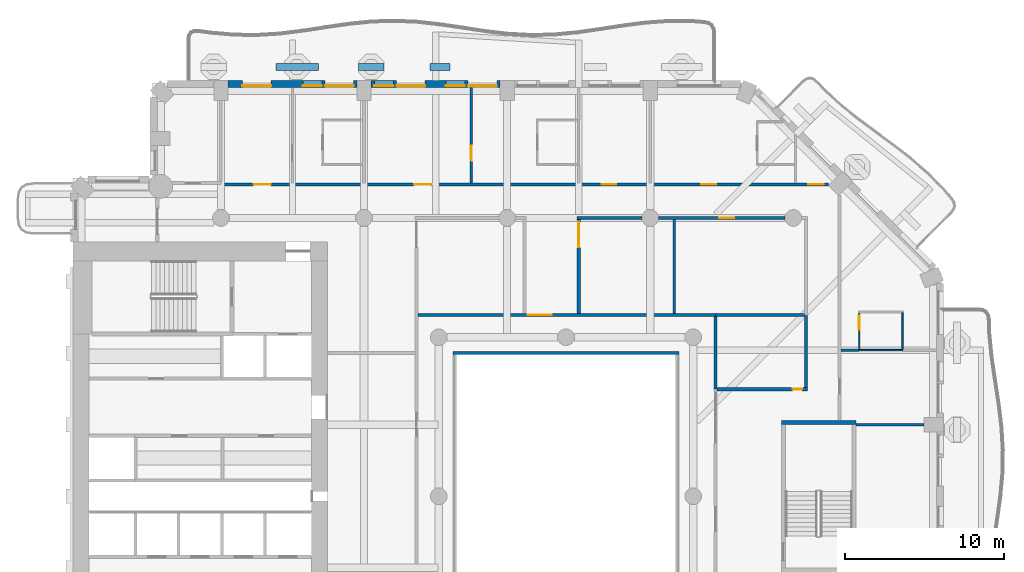
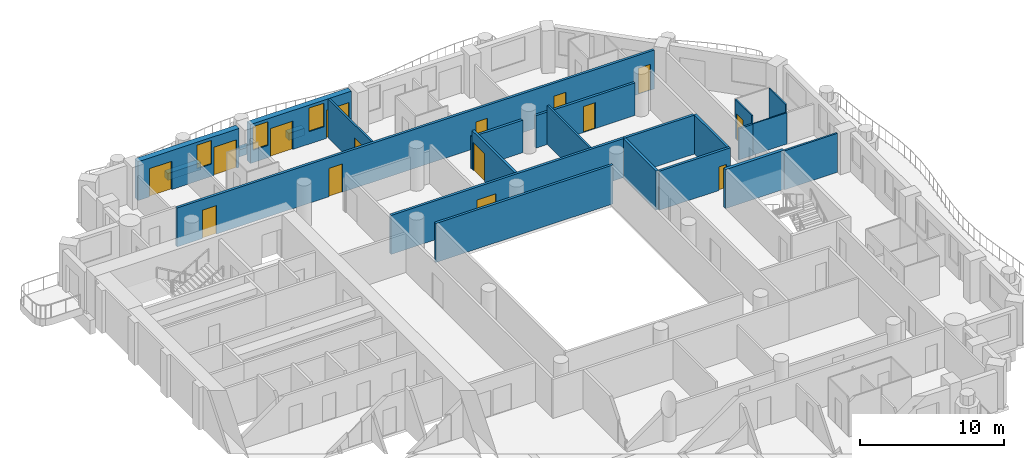
# One storey, part 8 of 19: 23 walls, 15 doors, 3 windows, 18 openings.
"""IFC4 building model written with IfcOpenShell, lengths in metres."""

from ifc_helpers import new_model, si_unit, direction, frame, frame_2d, origin, place, context, subcontext, project, spatial, rectangle, extrude, material, layer, layer_set, type_object, element, fill, save


model = new_model("IFC4")

# Units and contexts
model_context = context("Model", 3, precision=1e-05, world=origin(), true_north=direction((0.0, 1.0)))
body_context = subcontext(model_context, "Body", "Model", "MODEL_VIEW")
ifc_project = project(units=[si_unit("LENGTHUNIT", "METRE"), si_unit("AREAUNIT", "SQUARE_METRE"), si_unit("VOLUMEUNIT", "CUBIC_METRE"), si_unit("PLANEANGLEUNIT", "RADIAN"), si_unit("MASSUNIT", "GRAM", prefix="KILO")], contexts=[model_context])

# Site, building, storey
site_placement = place(None, origin())
site = spatial("IfcSite", under=ifc_project, at=site_placement, CompositionType="ELEMENT")
building_placement = place(site_placement, origin())
building = spatial("IfcBuilding", under=site, at=building_placement, Name="Cypress Arch Tower", CompositionType="ELEMENT")
storey_placement = place(building_placement, frame((0.0, 0.0, 138.300048828125)))
storey = spatial("IfcBuildingStorey", under=building, at=storey_placement, Name="L30", CompositionType="ELEMENT", Elevation=138.300048828125)

# Walls
ifc_material_1 = material(Name="Concrete C40/50, waterproofed", Category="concrete")
ifc_layer_1 = layer(ifc_material_1, 0.449951171875)
ifc_layer_set_1 = layer_set([ifc_layer_1], Name="Balcony planter wall PW450")
wall_type_1 = type_object("IfcWallType", Name="Balcony planter wall PW450", PredefinedType="SOLIDWALL", material=ifc_layer_set_1)
wall_1_placement = place(storey_placement, frame((-6.300048828125, 27.0, 0.0), z_axis=(0.0, 0.0, 1.0), x_axis=(-1.0, 0.0, 0.0)))
element("IfcWall", 1, at=wall_1_placement, inside=storey, type_object=wall_type_1, Name="Balcony planter wall L30-A08.3", PredefinedType="SOLIDWALL", context=body_context, shape_type="SweptSolid", body=[
    extrude(rectangle(XDim=1.25, YDim=0.449951171875, at=frame_2d((0.625, 0.0))), origin(), (0.0, 0.0, 1.0), 0.599853515625),
])
wall_2_placement = place(storey_placement, frame((-10.4375, 27.0, 0.0), z_axis=(0.0, 0.0, 1.0), x_axis=(-1.0, 0.0, 0.0)))
element("IfcWall", 2, at=wall_2_placement, inside=storey, type_object=wall_type_1, Name="Balcony planter wall L30-A08.4", PredefinedType="SOLIDWALL", context=body_context, shape_type="SweptSolid", body=[
    extrude(rectangle(XDim=1.612548828125, YDim=0.449951171875, at=frame_2d((0.80615234375, 0.0))), origin(), (0.0, 0.0, 1.0), 0.599853515625),
])
wall_3_placement = place(storey_placement, frame((-14.574951171875, 27.0, 0.0), z_axis=(0.0, 0.0, 1.0), x_axis=(-1.0, 0.0, 0.0)))
element("IfcWall", 3, at=wall_3_placement, inside=storey, type_object=wall_type_1, Name="Balcony planter wall L30-A08.5", PredefinedType="SOLIDWALL", context=body_context, shape_type="SweptSolid", body=[
    extrude(rectangle(XDim=2.675048828125, YDim=0.449951171875, at=frame_2d((1.33740234375, 0.0))), origin(), (0.0, 0.0, 1.0), 0.599853515625),
])

# Wall, openings, doors, windows
ifc_material_2 = material(Name="Brick (red buff blend)", Category="masonry")
ifc_layer_2 = layer(ifc_material_2, 0.449951171875)
ifc_layer_set_2 = layer_set([ifc_layer_2], Name="Brick pier and spandrel wall BW450")
wall_type_2 = type_object("IfcWallType", Name="Brick pier and spandrel wall BW450", PredefinedType="SOLIDWALL", material=ifc_layer_set_2)
wall_4_placement = place(storey_placement, frame((-3.14990234375, 25.925048828125, 0.0), z_axis=(0.0, 0.0, 1.0), x_axis=(-1.0, 0.0, 0.0)))
wall_4 = element("IfcWall", 4, at=wall_4_placement, inside=storey, type_object=wall_type_2, Name="Brick wall L30 A08.2", PredefinedType="SOLIDWALL", context=body_context, shape_type="SweptSolid", body=[
    extrude(rectangle(XDim=8.10009765625, YDim=0.449951171875, at=frame_2d((4.050048828125, 0.0))), origin(), (0.0, 0.0, 1.0), 3.300048828125),
])
opening_1_placement = place(wall_4_placement, frame((0.199951171875, 0.0, 0.0)))
opening_1 = element("IfcOpeningElement", 5, at=opening_1_placement, cuts=wall_4, Name="Opening D-L30-A08.2.1", PredefinedType="OPENING", context=body_context, shape_type="SweptSolid", body=[
    extrude(rectangle(XDim=1.800048828125, YDim=2.39990234375, at=frame_2d((0.89990234375, 1.199951171875))), frame((0.0, 0.23486328125, 0.0), z_axis=(0.0, -1.0, 0.0), x_axis=(1.0, 0.0, 0.0)), (0.0, 0.0, 1.0), 0.469970703125),
])
opening_2_placement = place(wall_4_placement, frame((2.199951171875, 0.0, 1.050048828125)))
opening_2 = element("IfcOpeningElement", 6, at=opening_2_placement, cuts=wall_4, Name="Opening W120HD", PredefinedType="OPENING", context=body_context, shape_type="SweptSolid", body=[
    extrude(rectangle(XDim=1.199951171875, YDim=2.0, at=frame_2d((0.60009765625, 1.0))), frame((0.0, 0.23486328125, 0.0), z_axis=(0.0, -1.0, 0.0), x_axis=(1.0, 0.0, 0.0)), (0.0, 0.0, 1.0), 0.469970703125),
])
opening_3_placement = place(wall_4_placement, frame((4.699951171875, 0.0, 0.0)))
opening_3 = element("IfcOpeningElement", 7, at=opening_3_placement, cuts=wall_4, Name="Opening D-L30-A08.2.2", PredefinedType="OPENING", context=body_context, shape_type="SweptSolid", body=[
    extrude(rectangle(XDim=1.800048828125, YDim=2.39990234375, at=frame_2d((0.89990234375, 1.199951171875))), frame((0.0, 0.23486328125, 0.0), z_axis=(0.0, -1.0, 0.0), x_axis=(1.0, 0.0, 0.0)), (0.0, 0.0, 1.0), 0.469970703125),
])
opening_4_placement = place(wall_4_placement, frame((6.699951171875, 0.0, 1.050048828125)))
opening_4 = element("IfcOpeningElement", 8, at=opening_4_placement, cuts=wall_4, Name="Opening W120HD", PredefinedType="OPENING", context=body_context, shape_type="SweptSolid", body=[
    extrude(rectangle(XDim=1.199951171875, YDim=2.0, at=frame_2d((0.60009765625, 1.0))), frame((0.0, 0.23486328125, 0.0), z_axis=(0.0, -1.0, 0.0), x_axis=(1.0, 0.0, 0.0)), (0.0, 0.0, 1.0), 0.469970703125),
])
ifc_material_3 = material(Name="Anodised aluminium, bronze finish, laminated low-emissivity double glazing, large-missile impact rated", Category="aluminium")
door_type_1 = type_object("IfcDoorType", Name="Balcony sliding door 1800x2400", OperationType="SLIDING_TO_LEFT", PredefinedType="DOOR", material=ifc_material_3)
door_1_placement = place(opening_1_placement, origin())
door_1 = element("IfcDoor", 9, at=door_1_placement, inside=storey, type_object=door_type_1, Name="Balcony door L30 A08.2.1", OperationType="SLIDING_TO_LEFT", OverallHeight=2.39990234375, OverallWidth=1.800048828125, PredefinedType="DOOR", context=body_context, shape_type="SweptSolid", body=[
    extrude(rectangle(XDim=1.800048828125, YDim=2.39990234375, at=frame_2d((0.89990234375, 1.199951171875))), frame((0.0, 0.1298828125, 0.0), z_axis=(0.0, -1.0, 0.0), x_axis=(1.0, 0.0, 0.0)), (0.0, 0.0, 1.0), 0.050048828125),
])
fill(opening_1, door_1)
door_2_placement = place(opening_3_placement, origin())
door_2 = element("IfcDoor", 10, at=door_2_placement, inside=storey, type_object=door_type_1, Name="Balcony door L30 A08.2.2", OperationType="SLIDING_TO_LEFT", OverallHeight=2.39990234375, OverallWidth=1.800048828125, PredefinedType="DOOR", context=body_context, shape_type="SweptSolid", body=[
    extrude(rectangle(XDim=1.800048828125, YDim=2.39990234375, at=frame_2d((0.89990234375, 1.199951171875))), frame((0.0, 0.1298828125, 0.0), z_axis=(0.0, -1.0, 0.0), x_axis=(1.0, 0.0, 0.0)), (0.0, 0.0, 1.0), 0.050048828125),
])
fill(opening_3, door_2)
ifc_material_4 = material(Name="Anodised aluminium, bronze finish, laminated low-emissivity double glazing, large-missile impact rated", Category="aluminium")
window_type = type_object("IfcWindowType", Name="Window Hotel 1200x2000 debris-rated", PartitioningType="SINGLE_PANEL", PredefinedType="WINDOW", material=ifc_material_4)
window_1_placement = place(opening_2_placement, origin())
window_1 = element("IfcWindow", 11, at=window_1_placement, inside=storey, type_object=window_type, Name="Window L30 A08.2.1", OverallHeight=2.0, OverallWidth=1.199951171875, PartitioningType="SINGLE_PANEL", PredefinedType="WINDOW", context=body_context, shape_type="SweptSolid", body=[
    extrude(rectangle(XDim=1.199951171875, YDim=2.0, at=frame_2d((0.60009765625, 1.0))), frame((0.0, 0.135009765625, 0.0), z_axis=(0.0, -1.0, 0.0), x_axis=(1.0, 0.0, 0.0)), (0.0, 0.0, 1.0), 0.06005859375),
])
fill(opening_2, window_1)
window_2_placement = place(opening_4_placement, origin())
window_2 = element("IfcWindow", 12, at=window_2_placement, inside=storey, type_object=window_type, Name="Window L30 A08.2.2", OverallHeight=2.0, OverallWidth=1.199951171875, PartitioningType="SINGLE_PANEL", PredefinedType="WINDOW", context=body_context, shape_type="SweptSolid", body=[
    extrude(rectangle(XDim=1.199951171875, YDim=2.0, at=frame_2d((0.60009765625, 1.0))), frame((0.0, 0.135009765625, 0.0), z_axis=(0.0, -1.0, 0.0), x_axis=(1.0, 0.0, 0.0)), (0.0, 0.0, 1.0), 0.06005859375),
])
fill(opening_4, window_2)

# Wall, openings, doors, window
wall_5_placement = place(storey_placement, frame((-12.14990234375, 25.925048828125, 0.0), z_axis=(0.0, 0.0, 1.0), x_axis=(-1.0, 0.0, 0.0)))
wall_5 = element("IfcWall", 13, at=wall_5_placement, inside=storey, type_object=wall_type_2, Name="Brick wall L30 A08.3", PredefinedType="SOLIDWALL", context=body_context, shape_type="SweptSolid", body=[
    extrude(rectangle(XDim=8.10009765625, YDim=0.449951171875, at=frame_2d((4.050048828125, 0.0))), origin(), (0.0, 0.0, 1.0), 3.300048828125),
])
opening_5_placement = place(wall_5_placement, frame((0.199951171875, 0.0, 0.0)))
opening_5 = element("IfcOpeningElement", 14, at=opening_5_placement, cuts=wall_5, Name="Opening D-L30-A08.3.1", PredefinedType="OPENING", context=body_context, shape_type="SweptSolid", body=[
    extrude(rectangle(XDim=1.800048828125, YDim=2.39990234375, at=frame_2d((0.89990234375, 1.199951171875))), frame((0.0, 0.23486328125, 0.0), z_axis=(0.0, -1.0, 0.0), x_axis=(1.0, 0.0, 0.0)), (0.0, 0.0, 1.0), 0.469970703125),
])
opening_6_placement = place(wall_5_placement, frame((2.199951171875, 0.0, 1.050048828125)))
opening_6 = element("IfcOpeningElement", 15, at=opening_6_placement, cuts=wall_5, Name="Opening W120HD", PredefinedType="OPENING", context=body_context, shape_type="SweptSolid", body=[
    extrude(rectangle(XDim=1.199951171875, YDim=2.0, at=frame_2d((0.60009765625, 1.0))), frame((0.0, 0.23486328125, 0.0), z_axis=(0.0, -1.0, 0.0), x_axis=(1.0, 0.0, 0.0)), (0.0, 0.0, 1.0), 0.469970703125),
])
opening_7_placement = place(wall_5_placement, frame((5.39990234375, 0.0, 0.0)))
opening_7 = element("IfcOpeningElement", 16, at=opening_7_placement, cuts=wall_5, Name="Opening D-L30-A08.3.2", PredefinedType="OPENING", context=body_context, shape_type="SweptSolid", body=[
    extrude(rectangle(XDim=1.800048828125, YDim=2.39990234375, at=frame_2d((0.89990234375, 1.199951171875))), frame((0.0, 0.23486328125, 0.0), z_axis=(0.0, -1.0, 0.0), x_axis=(1.0, 0.0, 0.0)), (0.0, 0.0, 1.0), 0.469970703125),
])
door_3_placement = place(opening_5_placement, origin())
door_3 = element("IfcDoor", 17, at=door_3_placement, inside=storey, type_object=door_type_1, Name="Balcony door L30 A08.3.1", OperationType="SLIDING_TO_LEFT", OverallHeight=2.39990234375, OverallWidth=1.800048828125, PredefinedType="DOOR", context=body_context, shape_type="SweptSolid", body=[
    extrude(rectangle(XDim=1.800048828125, YDim=2.39990234375, at=frame_2d((0.89990234375, 1.199951171875))), frame((0.0, 0.1298828125, 0.0), z_axis=(0.0, -1.0, 0.0), x_axis=(1.0, 0.0, 0.0)), (0.0, 0.0, 1.0), 0.050048828125),
])
fill(opening_5, door_3)
door_4_placement = place(opening_7_placement, origin())
door_4 = element("IfcDoor", 18, at=door_4_placement, inside=storey, type_object=door_type_1, Name="Balcony door L30 A08.3.2", OperationType="SLIDING_TO_LEFT", OverallHeight=2.39990234375, OverallWidth=1.800048828125, PredefinedType="DOOR", context=body_context, shape_type="SweptSolid", body=[
    extrude(rectangle(XDim=1.800048828125, YDim=2.39990234375, at=frame_2d((0.89990234375, 1.199951171875))), frame((0.0, 0.1298828125, 0.0), z_axis=(0.0, -1.0, 0.0), x_axis=(1.0, 0.0, 0.0)), (0.0, 0.0, 1.0), 0.050048828125),
])
fill(opening_7, door_4)
window_3_placement = place(opening_6_placement, origin())
window_3 = element("IfcWindow", 19, at=window_3_placement, inside=storey, type_object=window_type, Name="Window L30 A08.3.1", OverallHeight=2.0, OverallWidth=1.199951171875, PartitioningType="SINGLE_PANEL", PredefinedType="WINDOW", context=body_context, shape_type="SweptSolid", body=[
    extrude(rectangle(XDim=1.199951171875, YDim=2.0, at=frame_2d((0.60009765625, 1.0))), frame((0.0, 0.135009765625, 0.0), z_axis=(0.0, -1.0, 0.0), x_axis=(1.0, 0.0, 0.0)), (0.0, 0.0, 1.0), 0.06005859375),
])
fill(opening_6, window_3)

# Wall, openings, doors
ifc_material_5 = material(Name="Concrete blockwork, plastered, rated", Category="masonry")
ifc_layer_3 = layer(ifc_material_5, 0.199951171875)
ifc_layer_set_3 = layer_set([ifc_layer_3], Name="Corridor wall FW200")
wall_type_3 = type_object("IfcWallType", Name="Corridor wall FW200", PredefinedType="PARTITIONING", material=ifc_layer_set_3)
wall_6_placement = place(storey_placement, frame((-20.699951171875, 19.60009765625, 0.0), z_axis=(0.0, 0.0, 1.0), x_axis=(1.0, 0.0, 0.0)))
wall_6 = element("IfcWall", 20, at=wall_6_placement, inside=storey, type_object=wall_type_3, Name="Corridor wall", PredefinedType="PARTITIONING", context=body_context, shape_type="SweptSolid", body=[
    extrude(rectangle(XDim=38.213623046875, YDim=0.199951171875, at=frame_2d((19.10693359375, 0.0))), origin(), (0.0, 0.0, 1.0), 3.300048828125),
])
opening_8_placement = place(wall_6_placement, frame((23.949951171875, 0.0, 0.0)))
opening_8 = element("IfcOpeningElement", 21, at=opening_8_placement, cuts=wall_6, Name="Opening D05", PredefinedType="OPENING", context=body_context, shape_type="SweptSolid", body=[
    extrude(rectangle(XDim=0.89990234375, YDim=2.199951171875, at=frame_2d((0.449951171875, 1.10009765625))), frame((0.0, 0.10986328125, 0.0), z_axis=(0.0, -1.0, 0.0), x_axis=(1.0, 0.0, 0.0)), (0.0, 0.0, 1.0), 0.219970703125),
])
opening_9_placement = place(wall_6_placement, frame((2.050048828125, 0.0, 0.0)))
opening_9 = element("IfcOpeningElement", 22, at=opening_9_placement, cuts=wall_6, Name="Opening D01", PredefinedType="OPENING", context=body_context, shape_type="SweptSolid", body=[
    extrude(rectangle(XDim=1.10009765625, YDim=2.39990234375, at=frame_2d((0.550048828125, 1.199951171875))), frame((0.0, 0.10986328125, 0.0), z_axis=(0.0, -1.0, 0.0), x_axis=(1.0, 0.0, 0.0)), (0.0, 0.0, 1.0), 0.219970703125),
])
opening_10_placement = place(wall_6_placement, frame((12.14990234375, 0.0, 0.0)))
opening_10 = element("IfcOpeningElement", 23, at=opening_10_placement, cuts=wall_6, Name="Opening D01", PredefinedType="OPENING", context=body_context, shape_type="SweptSolid", body=[
    extrude(rectangle(XDim=1.10009765625, YDim=2.39990234375, at=frame_2d((0.550048828125, 1.199951171875))), frame((0.0, 0.10986328125, 0.0), z_axis=(0.0, -1.0, 0.0), x_axis=(1.0, 0.0, 0.0)), (0.0, 0.0, 1.0), 0.219970703125),
])
opening_11_placement = place(wall_6_placement, frame((30.199951171875, 0.0, 0.0)))
opening_11 = element("IfcOpeningElement", 24, at=opening_11_placement, cuts=wall_6, Name="Opening D02", PredefinedType="OPENING", context=body_context, shape_type="SweptSolid", body=[
    extrude(rectangle(XDim=0.949951171875, YDim=2.199951171875, at=frame_2d((0.47509765625, 1.10009765625))), frame((0.0, 0.10986328125, 0.0), z_axis=(0.0, -1.0, 0.0), x_axis=(1.0, 0.0, 0.0)), (0.0, 0.0, 1.0), 0.219970703125),
])
opening_12_placement = place(wall_6_placement, frame((36.949951171875, 0.0, 0.0)))
opening_12 = element("IfcOpeningElement", 25, at=opening_12_placement, cuts=wall_6, Name="Opening D02", PredefinedType="OPENING", context=body_context, shape_type="SweptSolid", body=[
    extrude(rectangle(XDim=0.949951171875, YDim=2.199951171875, at=frame_2d((0.47509765625, 1.10009765625))), frame((0.0, 0.10986328125, 0.0), z_axis=(0.0, -1.0, 0.0), x_axis=(1.0, 0.0, 0.0)), (0.0, 0.0, 1.0), 0.219970703125),
])
ifc_material_6 = material(Name="Timber flush door, fire resisting", Category="wood")
door_type_2 = type_object("IfcDoorType", Name="Room door D02 950x2200", OperationType="SINGLE_SWING_LEFT", PredefinedType="DOOR", material=ifc_material_6)
door_5_placement = place(opening_11_placement, origin())
door_5 = element("IfcDoor", 26, at=door_5_placement, inside=storey, type_object=door_type_2, Name="Room door", OperationType="SINGLE_SWING_RIGHT", OverallHeight=2.199951171875, OverallWidth=0.949951171875, PredefinedType="DOOR", context=body_context, shape_type="SweptSolid", body=[
    extrude(rectangle(XDim=0.949951171875, YDim=2.199951171875, at=frame_2d((0.47509765625, 1.10009765625))), frame((0.0, 0.02490234375, 0.0), z_axis=(0.0, -1.0, 0.0), x_axis=(1.0, 0.0, 0.0)), (0.0, 0.0, 1.0), 0.050048828125),
])
fill(opening_11, door_5)
door_6_placement = place(opening_12_placement, origin())
door_6 = element("IfcDoor", 27, at=door_6_placement, inside=storey, type_object=door_type_2, Name="Room door", OperationType="SINGLE_SWING_RIGHT", OverallHeight=2.199951171875, OverallWidth=0.949951171875, PredefinedType="DOOR", context=body_context, shape_type="SweptSolid", body=[
    extrude(rectangle(XDim=0.949951171875, YDim=2.199951171875, at=frame_2d((0.47509765625, 1.10009765625))), frame((0.0, 0.02490234375, 0.0), z_axis=(0.0, -1.0, 0.0), x_axis=(1.0, 0.0, 0.0)), (0.0, 0.0, 1.0), 0.050048828125),
])
fill(opening_12, door_6)
ifc_material_7 = material(Name="Timber flush door", Category="wood")
door_type_3 = type_object("IfcDoorType", Name="Service door D05 900x2200", OperationType="SINGLE_SWING_LEFT", PredefinedType="DOOR", material=ifc_material_7)
door_7_placement = place(opening_8_placement, origin())
door_7 = element("IfcDoor", 28, at=door_7_placement, inside=storey, type_object=door_type_3, Name="Service door", OperationType="SINGLE_SWING_LEFT", OverallHeight=2.199951171875, OverallWidth=0.89990234375, PredefinedType="DOOR", context=body_context, shape_type="SweptSolid", body=[
    extrude(rectangle(XDim=0.89990234375, YDim=2.199951171875, at=frame_2d((0.449951171875, 1.10009765625))), frame((0.0, 0.02490234375, 0.0), z_axis=(0.0, -1.0, 0.0), x_axis=(1.0, 0.0, 0.0)), (0.0, 0.0, 1.0), 0.050048828125),
])
fill(opening_8, door_7)
ifc_material_8 = material(Name="Timber flush door, fire resisting, self-closing", Category="wood")
door_type_4 = type_object("IfcDoorType", Name="Unit entrance door D01 1100x2400", OperationType="SINGLE_SWING_LEFT", PredefinedType="DOOR", material=ifc_material_8)
door_8_placement = place(opening_9_placement, origin())
door_8 = element("IfcDoor", 29, at=door_8_placement, inside=storey, type_object=door_type_4, Name="Unit entrance door", OperationType="SINGLE_SWING_RIGHT", OverallHeight=2.39990234375, OverallWidth=1.10009765625, PredefinedType="DOOR", context=body_context, shape_type="SweptSolid", body=[
    extrude(rectangle(XDim=1.10009765625, YDim=2.39990234375, at=frame_2d((0.550048828125, 1.199951171875))), frame((0.0, 0.02490234375, 0.0), z_axis=(0.0, -1.0, 0.0), x_axis=(1.0, 0.0, 0.0)), (0.0, 0.0, 1.0), 0.050048828125),
])
fill(opening_9, door_8)
door_9_placement = place(opening_10_placement, origin())
door_9 = element("IfcDoor", 30, at=door_9_placement, inside=storey, type_object=door_type_4, Name="Unit entrance door", OperationType="SINGLE_SWING_RIGHT", OverallHeight=2.39990234375, OverallWidth=1.10009765625, PredefinedType="DOOR", context=body_context, shape_type="SweptSolid", body=[
    extrude(rectangle(XDim=1.10009765625, YDim=2.39990234375, at=frame_2d((0.550048828125, 1.199951171875))), frame((0.0, 0.02490234375, 0.0), z_axis=(0.0, -1.0, 0.0), x_axis=(1.0, 0.0, 0.0)), (0.0, 0.0, 1.0), 0.050048828125),
])
fill(opening_10, door_9)

# Wall, opening, door
wall_7_placement = place(storey_placement, frame((-8.300048828125, 11.39990234375, 0.0), z_axis=(0.0, 0.0, 1.0), x_axis=(1.0, 0.0, 0.0)))
wall_7 = element("IfcWall", 31, at=wall_7_placement, inside=storey, type_object=wall_type_3, Name="Corridor wall", PredefinedType="PARTITIONING", context=body_context, shape_type="SweptSolid", body=[
    extrude(rectangle(XDim=18.699951171875, YDim=0.199951171875, at=frame_2d((9.35009765625, 0.0))), origin(), (0.0, 0.0, 1.0), 3.300048828125),
])
opening_13_placement = place(wall_7_placement, frame((6.89990234375, 0.0, 0.0)))
opening_13 = element("IfcOpeningElement", 32, at=opening_13_placement, cuts=wall_7, Name="Opening D04", PredefinedType="OPENING", context=body_context, shape_type="SweptSolid", body=[
    extrude(rectangle(XDim=1.5, YDim=2.199951171875, at=frame_2d((0.75, 1.10009765625))), frame((0.0, 0.10986328125, 0.0), z_axis=(0.0, -1.0, 0.0), x_axis=(1.0, 0.0, 0.0)), (0.0, 0.0, 1.0), 0.219970703125),
])
ifc_material_9 = material(Name="Timber double door", Category="wood")
door_type_5 = type_object("IfcDoorType", Name="Double door D04 1500x2200", OperationType="DOUBLE_DOOR_SINGLE_SWING", PredefinedType="DOOR", material=ifc_material_9)
door_10_placement = place(opening_13_placement, origin())
door_10 = element("IfcDoor", 33, at=door_10_placement, inside=storey, type_object=door_type_5, Name="Double door", OperationType="DOUBLE_DOOR_SINGLE_SWING", OverallHeight=2.199951171875, OverallWidth=1.5, PredefinedType="DOOR", context=body_context, shape_type="SweptSolid", body=[
    extrude(rectangle(XDim=1.5, YDim=2.199951171875, at=frame_2d((0.75, 1.10009765625))), frame((0.0, 0.02490234375, 0.0), z_axis=(0.0, -1.0, 0.0), x_axis=(1.0, 0.0, 0.0)), (0.0, 0.0, 1.0), 0.050048828125),
])
fill(opening_13, door_10)

# Wall
wall_8_placement = place(storey_placement, frame((-6.10009765625, 9.0, 0.0), z_axis=(0.0, 0.0, 1.0), x_axis=(1.0, 0.0, 0.0)))
element("IfcWall", 34, at=wall_8_placement, inside=storey, type_object=wall_type_3, Name="Corridor wall", PredefinedType="PARTITIONING", context=body_context, shape_type="SweptSolid", body=[
    extrude(rectangle(XDim=14.2001953125, YDim=0.199951171875, at=frame_2d((7.10009765625, 0.0))), origin(), (0.0, 0.0, 1.0), 3.300048828125),
])

# Wall, opening, door
wall_9_placement = place(storey_placement, frame((1.800048828125, 11.5, 0.0), z_axis=(0.0, 0.0, 1.0), x_axis=(0.0, 1.0, 0.0)))
wall_9 = element("IfcWall", 35, at=wall_9_placement, inside=storey, type_object=wall_type_3, Name="Corridor wall", PredefinedType="PARTITIONING", context=body_context, shape_type="SweptSolid", body=[
    extrude(rectangle(XDim=5.89990234375, YDim=0.199951171875, at=frame_2d((2.949951171875, 0.0))), origin(), (0.0, 0.0, 1.0), 3.300048828125),
])
opening_14_placement = place(wall_9_placement, frame((4.14990234375, 0.0, 0.0)))
opening_14 = element("IfcOpeningElement", 36, at=opening_14_placement, cuts=wall_9, Name="Opening D10", PredefinedType="OPENING", context=body_context, shape_type="SweptSolid", body=[
    extrude(rectangle(XDim=1.60009765625, YDim=2.39990234375, at=frame_2d((0.800048828125, 1.199951171875))), frame((0.0, 0.10986328125, 0.0), z_axis=(0.0, -1.0, 0.0), x_axis=(1.0, 0.0, 0.0)), (0.0, 0.0, 1.0), 0.219970703125),
])
ifc_material_10 = material(Name="Black aluminium glazed door", Category="aluminium")
door_type_6 = type_object("IfcDoorType", Name="Amenity door D10 1600x2400", OperationType="DOUBLE_DOOR_SINGLE_SWING", PredefinedType="DOOR", material=ifc_material_10)
door_11_placement = place(opening_14_placement, origin())
door_11 = element("IfcDoor", 37, at=door_11_placement, inside=storey, type_object=door_type_6, Name="Amenity door", OperationType="DOUBLE_DOOR_SINGLE_SWING", OverallHeight=2.39990234375, OverallWidth=1.60009765625, PredefinedType="DOOR", context=body_context, shape_type="SweptSolid", body=[
    extrude(rectangle(XDim=1.60009765625, YDim=2.39990234375, at=frame_2d((0.800048828125, 1.199951171875))), frame((0.0, 0.02490234375, 0.0), z_axis=(0.0, -1.0, 0.0), x_axis=(1.0, 0.0, 0.0)), (0.0, 0.0, 1.0), 0.050048828125),
])
fill(opening_14, door_11)

# Wall
wall_10_placement = place(storey_placement, frame((1.699951171875, 17.5, 0.0), z_axis=(0.0, 0.0, 1.0), x_axis=(1.0, 0.0, 0.0)))
element("IfcWall", 38, at=wall_10_placement, inside=storey, type_object=wall_type_3, Name="Corridor wall", PredefinedType="PARTITIONING", context=body_context, shape_type="SweptSolid", body=[
    extrude(rectangle(XDim=4.074951171875, YDim=0.199951171875, at=frame_2d((2.03759765625, 0.0))), origin(), (0.0, 0.0, 1.0), 2.75),
])

# Wall, opening, door
wall_11_placement = place(storey_placement, frame((6.824951171875, 17.5, 0.0), z_axis=(0.0, 0.0, 1.0), x_axis=(1.0, 0.0, 0.0)))
wall_11 = element("IfcWall", 39, at=wall_11_placement, inside=storey, type_object=wall_type_3, Name="Corridor wall", PredefinedType="PARTITIONING", context=body_context, shape_type="SweptSolid", body=[
    extrude(rectangle(XDim=7.949951171875, YDim=0.199951171875, at=frame_2d((3.97509765625, 0.0))), origin(), (0.0, 0.0, 1.0), 2.75),
])
opening_15_placement = place(wall_11_placement, frame((3.800048828125, 0.0, 0.0)))
opening_15 = element("IfcOpeningElement", 40, at=opening_15_placement, cuts=wall_11, Name="Opening D02", PredefinedType="OPENING", context=body_context, shape_type="SweptSolid", body=[
    extrude(rectangle(XDim=0.949951171875, YDim=2.199951171875, at=frame_2d((0.47509765625, 1.10009765625))), frame((0.0, 0.10986328125, 0.0), z_axis=(0.0, -1.0, 0.0), x_axis=(1.0, 0.0, 0.0)), (0.0, 0.0, 1.0), 0.219970703125),
])
door_12_placement = place(opening_15_placement, origin())
door_12 = element("IfcDoor", 41, at=door_12_placement, inside=storey, type_object=door_type_2, Name="Room door", OperationType="SINGLE_SWING_RIGHT", OverallHeight=2.199951171875, OverallWidth=0.949951171875, PredefinedType="DOOR", context=body_context, shape_type="SweptSolid", body=[
    extrude(rectangle(XDim=0.949951171875, YDim=2.199951171875, at=frame_2d((0.47509765625, 1.10009765625))), frame((0.0, 0.02490234375, 0.0), z_axis=(0.0, -1.0, 0.0), x_axis=(1.0, 0.0, 0.0)), (0.0, 0.0, 1.0), 0.050048828125),
])
fill(opening_15, door_12)

ifc_material_11 = material(Name="Blockwork, plastered both sides", Category="masonry")
ifc_layer_4 = layer(ifc_material_11, 0.14990234375)
ifc_layer_set_4 = layer_set([ifc_layer_4], Name="Partition PW150")
wall_type_4 = type_object("IfcWallType", Name="Partition PW150", PredefinedType="PARTITIONING", material=ifc_layer_set_4)
wall_12_placement = place(storey_placement, frame((-4.949951171875, 19.699951171875, 0.0), z_axis=(0.0, 0.0, 1.0), x_axis=(0.0, 1.0, 0.0)))
wall_12 = element("IfcWall", 42, at=wall_12_placement, inside=storey, type_object=wall_type_4, Name="Partition", PredefinedType="PARTITIONING", context=body_context, shape_type="SweptSolid", body=[
    extrude(rectangle(XDim=6.0, YDim=0.14990234375, at=frame_2d((3.0, 0.0))), origin(), (0.0, 0.0, 1.0), 3.300048828125),
])
opening_16_placement = place(wall_12_placement, frame((1.39990234375, 0.0, 0.0)))
opening_16 = element("IfcOpeningElement", 43, at=opening_16_placement, cuts=wall_12, Name="Opening D12", PredefinedType="OPENING", context=body_context, shape_type="SweptSolid", body=[
    extrude(rectangle(XDim=0.949951171875, YDim=2.199951171875, at=frame_2d((0.47509765625, 1.10009765625))), frame((0.0, 0.0849609375, 0.0), z_axis=(0.0, -1.0, 0.0), x_axis=(1.0, 0.0, 0.0)), (0.0, 0.0, 1.0), 0.169921875),
])
ifc_material_12 = material(Name="Timber flush door", Category="wood")
door_type_7 = type_object("IfcDoorType", Name="Room door D12 950x2200", OperationType="SINGLE_SWING_LEFT", PredefinedType="DOOR", material=ifc_material_12)
door_13_placement = place(opening_16_placement, origin())
door_13 = element("IfcDoor", 44, at=door_13_placement, inside=storey, type_object=door_type_7, Name="Room door", OperationType="SINGLE_SWING_LEFT", OverallHeight=2.199951171875, OverallWidth=0.949951171875, PredefinedType="DOOR", context=body_context, shape_type="SweptSolid", body=[
    extrude(rectangle(XDim=0.949951171875, YDim=2.199951171875, at=frame_2d((0.47509765625, 1.10009765625))), frame((0.0, 0.02490234375, 0.0), z_axis=(0.0, -1.0, 0.0), x_axis=(1.0, 0.0, 0.0)), (0.0, 0.0, 1.0), 0.050048828125),
])
fill(opening_16, door_13)

# Walls
wall_13_placement = place(storey_placement, frame((7.800048828125, 11.5, 0.0), z_axis=(0.0, 0.0, 1.0), x_axis=(0.0, 1.0, 0.0)))
element("IfcWall", 45, at=wall_13_placement, inside=storey, type_object=wall_type_4, Name="Partition", PredefinedType="PARTITIONING", context=body_context, shape_type="SweptSolid", body=[
    extrude(rectangle(XDim=5.89990234375, YDim=0.14990234375, at=frame_2d((2.949951171875, 0.0))), origin(), (0.0, 0.0, 1.0), 3.300048828125),
])
wall_14_placement = place(storey_placement, frame((18.300048828125, 9.18994140625, 0.0), z_axis=(0.0, 0.0, 1.0), x_axis=(1.0, 0.0, 0.0)))
element("IfcWall", 46, at=wall_14_placement, inside=storey, type_object=wall_type_4, Name="Partition", PredefinedType="PARTITIONING", context=body_context, shape_type="SweptSolid", body=[
    extrude(rectangle(XDim=1.1298828125, YDim=0.14990234375, at=frame_2d((0.56494140625, 0.0))), origin(), (0.0, 0.0, 1.0), 2.64990234375),
])
wall_15_placement = place(storey_placement, frame((19.25, 4.5, 0.0), z_axis=(0.0, 0.0, 1.0), x_axis=(1.0, 0.0, 0.0)))
element("IfcWall", 47, at=wall_15_placement, inside=storey, type_object=wall_type_4, Name="Partition", PredefinedType="PARTITIONING", context=body_context, shape_type="SweptSolid", body=[
    extrude(rectangle(XDim=4.25, YDim=0.14990234375, at=frame_2d((2.125, 0.0))), origin(), (0.0, 0.0, 1.0), 3.300048828125),
])
ifc_material_13 = material(Name="Reinforced blockwork, plastered, rated", Category="masonry")
ifc_layer_5 = layer(ifc_material_13, 0.199951171875)
ifc_layer_set_5 = layer_set([ifc_layer_5], Name="Plant and riser wall PL200")
wall_type_5 = type_object("IfcWallType", Name="Plant and riser wall PL200", PredefinedType="PARTITIONING", material=ifc_layer_set_5)
wall_16_placement = place(storey_placement, frame((10.39990234375, 11.39990234375, 0.0), z_axis=(0.0, 0.0, 1.0), x_axis=(1.0, 0.0, 0.0)))
element("IfcWall", 48, at=wall_16_placement, inside=storey, type_object=wall_type_5, Name="Plant and riser wall", PredefinedType="PARTITIONING", context=body_context, shape_type="SweptSolid", body=[
    extrude(rectangle(XDim=5.60009765625, YDim=0.199951171875, at=frame_2d((2.800048828125, 0.0))), origin(), (0.0, 0.0, 1.0), 3.300048828125),
])
wall_17_placement = place(storey_placement, frame((10.39990234375, 6.7451171875, 0.0), z_axis=(0.0, 0.0, 1.0), x_axis=(0.0, 1.0, 0.0)))
element("IfcWall", 49, at=wall_17_placement, inside=storey, type_object=wall_type_5, Name="Plant and riser wall", PredefinedType="PARTITIONING", context=body_context, shape_type="SweptSolid", body=[
    extrude(rectangle(XDim=4.554931640625, YDim=0.199951171875, at=frame_2d((2.27734375, 0.0))), origin(), (0.0, 0.0, 1.0), 3.300048828125),
])

# Wall, opening, door
wall_18_placement = place(storey_placement, frame((10.5, 6.72509765625, 0.0), z_axis=(0.0, 0.0, 1.0), x_axis=(1.0, 0.0, 0.0)))
wall_18 = element("IfcWall", 50, at=wall_18_placement, inside=storey, type_object=wall_type_5, Name="Plant and riser wall", PredefinedType="PARTITIONING", context=body_context, shape_type="SweptSolid", body=[
    extrude(rectangle(XDim=5.699951171875, YDim=0.199951171875, at=frame_2d((2.85009765625, 0.0))), origin(), (0.0, 0.0, 1.0), 3.300048828125),
])
opening_17_placement = place(wall_18_placement, frame((4.75, 0.0, 0.0)))
opening_17 = element("IfcOpeningElement", 51, at=opening_17_placement, cuts=wall_18, Name="Opening D08", PredefinedType="OPENING", context=body_context, shape_type="SweptSolid", body=[
    extrude(rectangle(XDim=0.60009765625, YDim=2.0, at=frame_2d((0.300048828125, 1.0))), frame((0.0, 0.10986328125, 0.0), z_axis=(0.0, -1.0, 0.0), x_axis=(1.0, 0.0, 0.0)), (0.0, 0.0, 1.0), 0.219970703125),
])
ifc_material_14 = material(Name="Steel access door, fire resisting", Category="steel")
door_type_8 = type_object("IfcDoorType", Name="Riser access door D08 600x2000", OperationType="SINGLE_SWING_LEFT", PredefinedType="DOOR", material=ifc_material_14)
door_14_placement = place(opening_17_placement, origin())
door_14 = element("IfcDoor", 52, at=door_14_placement, inside=storey, type_object=door_type_8, Name="Riser access door", OperationType="SINGLE_SWING_RIGHT", OverallHeight=2.0, OverallWidth=0.60009765625, PredefinedType="DOOR", context=body_context, shape_type="SweptSolid", body=[
    extrude(rectangle(XDim=0.60009765625, YDim=2.0, at=frame_2d((0.300048828125, 1.0))), frame((0.0, 0.02490234375, 0.0), z_axis=(0.0, -1.0, 0.0), x_axis=(1.0, 0.0, 0.0)), (0.0, 0.0, 1.0), 0.050048828125),
])
fill(opening_17, door_14)

# Walls
wall_19_placement = place(storey_placement, frame((16.10009765625, 6.824951171875, 0.0), z_axis=(0.0, 0.0, 1.0), x_axis=(0.0, 1.0, 0.0)))
element("IfcWall", 53, at=wall_19_placement, inside=storey, type_object=wall_type_5, Name="Plant and riser wall", PredefinedType="PARTITIONING", context=body_context, shape_type="SweptSolid", body=[
    extrude(rectangle(XDim=4.554931640625, YDim=0.199951171875, at=frame_2d((2.27734375, 0.0))), origin(), (0.0, 0.0, 1.0), 3.300048828125),
])
ifc_material_15 = material(Name="Concrete C50/60", Category="concrete")
ifc_layer_6 = layer(ifc_material_15, 0.25)
ifc_layer_set_6 = layer_set([ifc_layer_6], Name="Stair enclosure wall SW250")
wall_type_6 = type_object("IfcWallType", Name="Stair enclosure wall SW250", PredefinedType="SHEAR", material=ifc_layer_set_6)
wall_20_placement = place(storey_placement, frame((14.550048828125, 4.625, 0.0), z_axis=(0.0, 0.0, 1.0), x_axis=(1.0, 0.0, 0.0)))
element("IfcWall", 54, at=wall_20_placement, inside=storey, type_object=wall_type_6, Name="Stair enclosure wall", PredefinedType="SHEAR", context=body_context, shape_type="SweptSolid", body=[
    extrude(rectangle(XDim=4.699951171875, YDim=0.25, at=frame_2d((2.35009765625, 0.0))), origin(), (0.0, 0.0, 1.0), 3.300048828125),
])
ifc_material_16 = material(Name="Moisture resistant board on steel studs, tiled", Category="steel")
ifc_layer_7 = layer(ifc_material_16, 0.10009765625)
ifc_layer_set_7 = layer_set([ifc_layer_7], Name="Wet wall PW100")
wall_type_7 = type_object("IfcWallType", Name="Wet wall PW100", PredefinedType="PARTITIONING", material=ifc_layer_set_7)
wall_21_placement = place(storey_placement, frame((19.429931640625, 9.18994140625, 0.0), z_axis=(0.0, 0.0, 1.0), x_axis=(1.0, 0.0, 0.0)))
element("IfcWall", 55, at=wall_21_placement, inside=storey, type_object=wall_type_7, Name="Wet wall", PredefinedType="PARTITIONING", context=body_context, shape_type="SweptSolid", body=[
    extrude(rectangle(XDim=2.739990234375, YDim=0.10009765625, at=frame_2d((1.3701171875, 0.0))), origin(), (0.0, 0.0, 1.0), 2.64990234375),
])

# Wall, opening, door
wall_22_placement = place(storey_placement, frame((19.449951171875, 9.264892578125, 0.0), z_axis=(0.0, 0.0, 1.0), x_axis=(0.0, 1.0, 0.0)))
wall_22 = element("IfcWall", 56, at=wall_22_placement, inside=storey, type_object=wall_type_7, Name="Wet wall", PredefinedType="PARTITIONING", context=body_context, shape_type="SweptSolid", body=[
    extrude(rectangle(XDim=2.27099609375, YDim=0.10009765625, at=frame_2d((1.135498046875, 0.0))), origin(), (0.0, 0.0, 1.0), 3.300048828125),
])
opening_18_placement = place(wall_22_placement, frame((1.199951171875, 0.0, 0.0)))
opening_18 = element("IfcOpeningElement", 57, at=opening_18_placement, cuts=wall_22, Name="Opening D03", PredefinedType="OPENING", context=body_context, shape_type="SweptSolid", body=[
    extrude(rectangle(XDim=0.89990234375, YDim=2.199951171875, at=frame_2d((0.449951171875, 1.10009765625))), frame((0.0, 0.06005859375, 0.0), z_axis=(0.0, -1.0, 0.0), x_axis=(1.0, 0.0, 0.0)), (0.0, 0.0, 1.0), 0.1201171875),
])
ifc_material_17 = material(Name="Timber flush door, moisture resistant", Category="wood")
door_type_9 = type_object("IfcDoorType", Name="Bathroom door D03 900x2200", OperationType="SINGLE_SWING_LEFT", PredefinedType="DOOR", material=ifc_material_17)
door_15_placement = place(opening_18_placement, origin())
door_15 = element("IfcDoor", 58, at=door_15_placement, inside=storey, type_object=door_type_9, Name="Bathroom door", OperationType="SINGLE_SWING_LEFT", OverallHeight=2.199951171875, OverallWidth=0.89990234375, PredefinedType="DOOR", context=body_context, shape_type="SweptSolid", body=[
    extrude(rectangle(XDim=0.89990234375, YDim=2.199951171875, at=frame_2d((0.449951171875, 1.10009765625))), frame((0.0, 0.02490234375, 0.0), z_axis=(0.0, -1.0, 0.0), x_axis=(1.0, 0.0, 0.0)), (0.0, 0.0, 1.0), 0.050048828125),
])
fill(opening_18, door_15)

# Wall
wall_23_placement = place(storey_placement, frame((22.14990234375, 9.239990234375, 0.0), z_axis=(0.0, 0.0, 1.0), x_axis=(0.0, 1.0, 0.0)))
element("IfcWall", 59, at=wall_23_placement, inside=storey, type_object=wall_type_7, Name="Wet wall", PredefinedType="PARTITIONING", context=body_context, shape_type="SweptSolid", body=[
    extrude(rectangle(XDim=2.2958984375, YDim=0.10009765625, at=frame_2d((1.14794921875, 0.0))), origin(), (0.0, 0.0, 1.0), 3.300048828125),
])

save(model, "model.ifc")
